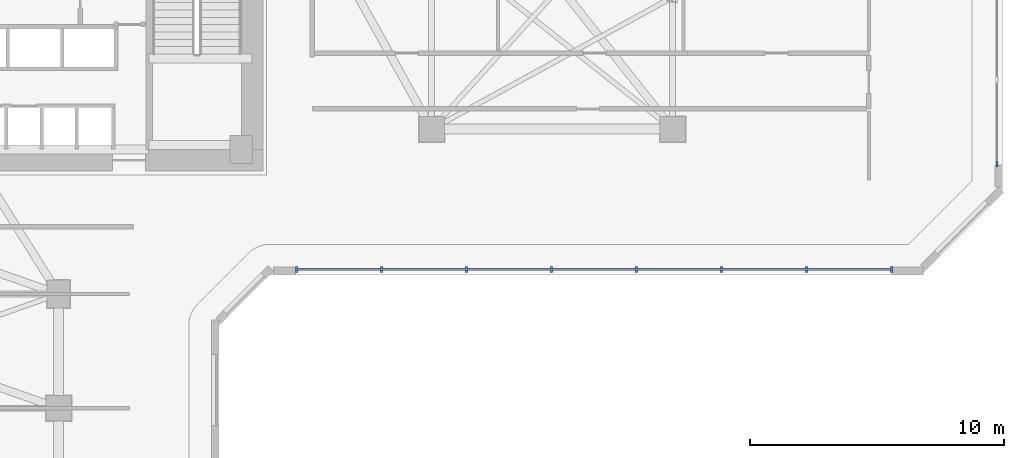
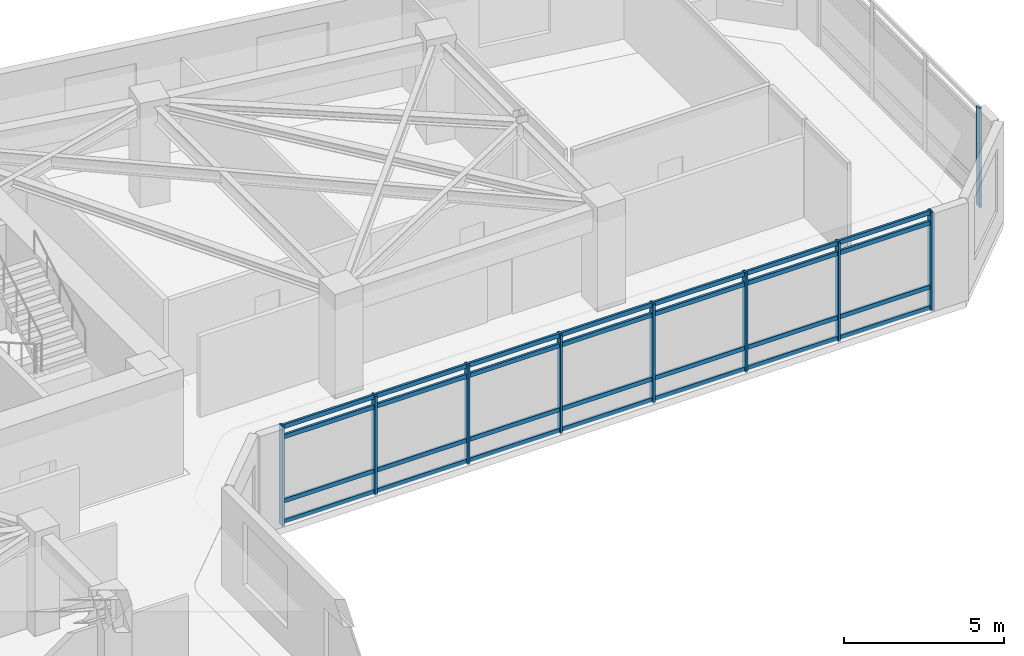
# One storey, part 2 of 11: 13 members, 2 elements without a shape of their own.
"""IFC4 building model written with IfcOpenShell, lengths in metres."""

from ifc_helpers import new_model, si_unit, direction, frame, origin, origin_2d, place, context, subcontext, project, spatial, rectangle, extrude, source, transform, mapped, material, material_profile, profile_set, type_object, element, aggregate, save


model = new_model("IFC4")

# Units and contexts
model_context = context("Model", 3, precision=1e-05, world=origin(), true_north=direction((0.0, 1.0)))
body_context = subcontext(model_context, "Body", "Model", "MODEL_VIEW")
ifc_project = project(units=[si_unit("LENGTHUNIT", "METRE"), si_unit("AREAUNIT", "SQUARE_METRE"), si_unit("VOLUMEUNIT", "CUBIC_METRE"), si_unit("PLANEANGLEUNIT", "RADIAN"), si_unit("MASSUNIT", "GRAM", prefix="KILO")], contexts=[model_context])

# Site, building, storey
site_placement = place(None, origin())
site = spatial("IfcSite", under=ifc_project, at=site_placement, CompositionType="ELEMENT")
building_placement = place(site_placement, origin())
building = spatial("IfcBuilding", under=site, at=building_placement, Name="Calvemar Wedge Station Tower", CompositionType="ELEMENT")
storey_placement = place(building_placement, frame((0.0, 0.0, 55.0)))
storey = spatial("IfcBuildingStorey", under=building, at=storey_placement, Name="L13", CompositionType="ELEMENT", Elevation=55.0)

# Curtain wall, members
ifc_material = material(Name="Anodised aluminium 6063-T6", Category="aluminium")
curtain_wall_type = type_object("IfcCurtainWallType", Name="CW1", PredefinedType="NOTDEFINED", material=ifc_material)
curtain_wall_1_placement = place(storey_placement, origin())
curtain_wall_1 = element("IfcCurtainWall", 1, at=curtain_wall_1_placement, inside=storey, type_object=curtain_wall_type, Name="Storey L13 CW1 Recessed Unitised Curtain Wall 6", PredefinedType="NOTDEFINED")
ifc_material_profile_1 = material_profile(ifc_material, rectangle(XDim=0.080078125, YDim=0.219970703125, at=origin_2d()), Name="AL-MUL-80x220")
ifc_profile_set_1 = profile_set([ifc_material_profile_1], Name="Anodised aluminium 6063-T6")
member_type_1 = type_object("IfcMemberType", Name="CW1-MUL", PredefinedType="MULLION", material=ifc_profile_set_1)
shared_shape_1 = source(origin(), body_context, "Body", "SweptSolid", [
    extrude(rectangle(XDim=0.080078125, YDim=0.219970703125, at=origin_2d()), origin(), (0.0, 0.0, 1.0), 3.800048828125),
])
member_1_placement = place(storey_placement, frame((33.166015625, 29.469970703125, -0.050048828125), z_axis=(0.0, 0.0, 1.0), x_axis=(1.0, 0.0, 0.0)))
member_1 = element("IfcMember", 2, at=member_1_placement, type_object=member_type_1, Name="CW1 mullion 1", PredefinedType="MULLION", context=body_context, shape_type="MappedRepresentation", body=[
    mapped(shared_shape_1, transform((0.0, 0.0, 0.0), scale=1.0)),
])
member_2_placement = place(storey_placement, frame((36.51904296875, 29.469970703125, -0.050048828125), z_axis=(0.0, 0.0, 1.0), x_axis=(1.0, 0.0, 0.0)))
member_2 = element("IfcMember", 3, at=member_2_placement, type_object=member_type_1, Name="CW1 mullion 2", PredefinedType="MULLION", context=body_context, shape_type="MappedRepresentation", body=[
    mapped(shared_shape_1, transform((0.0, 0.0, 0.0), scale=1.0)),
])
member_3_placement = place(storey_placement, frame((39.872314453125, 29.469970703125, -0.050048828125), z_axis=(0.0, 0.0, 1.0), x_axis=(1.0, 0.0, 0.0)))
member_3 = element("IfcMember", 4, at=member_3_placement, type_object=member_type_1, Name="CW1 mullion 3", PredefinedType="MULLION", context=body_context, shape_type="MappedRepresentation", body=[
    mapped(shared_shape_1, transform((0.0, 0.0, 0.0), scale=1.0)),
])
member_4_placement = place(storey_placement, frame((43.225341796875, 29.469970703125, -0.050048828125), z_axis=(0.0, 0.0, 1.0), x_axis=(1.0, 0.0, 0.0)))
member_4 = element("IfcMember", 5, at=member_4_placement, type_object=member_type_1, Name="CW1 mullion 4", PredefinedType="MULLION", context=body_context, shape_type="MappedRepresentation", body=[
    mapped(shared_shape_1, transform((0.0, 0.0, 0.0), scale=1.0)),
])
member_5_placement = place(storey_placement, frame((46.57861328125, 29.469970703125, -0.050048828125), z_axis=(0.0, 0.0, 1.0), x_axis=(1.0, 0.0, 0.0)))
member_5 = element("IfcMember", 6, at=member_5_placement, type_object=member_type_1, Name="CW1 mullion 5", PredefinedType="MULLION", context=body_context, shape_type="MappedRepresentation", body=[
    mapped(shared_shape_1, transform((0.0, 0.0, 0.0), scale=1.0)),
])
member_6_placement = place(storey_placement, frame((49.931640625, 29.469970703125, -0.050048828125), z_axis=(0.0, 0.0, 1.0), x_axis=(1.0, 0.0, 0.0)))
member_6 = element("IfcMember", 7, at=member_6_placement, type_object=member_type_1, Name="CW1 mullion 6", PredefinedType="MULLION", context=body_context, shape_type="MappedRepresentation", body=[
    mapped(shared_shape_1, transform((0.0, 0.0, 0.0), scale=1.0)),
])
member_7_placement = place(storey_placement, frame((53.284912109375, 29.469970703125, -0.050048828125), z_axis=(0.0, 0.0, 1.0), x_axis=(1.0, 0.0, 0.0)))
member_7 = element("IfcMember", 8, at=member_7_placement, type_object=member_type_1, Name="CW1 mullion 7", PredefinedType="MULLION", context=body_context, shape_type="MappedRepresentation", body=[
    mapped(shared_shape_1, transform((0.0, 0.0, 0.0), scale=1.0)),
])
member_8_placement = place(storey_placement, frame((56.637939453125, 29.469970703125, -0.050048828125), z_axis=(0.0, 0.0, 1.0), x_axis=(1.0, 0.0, 0.0)))
member_8 = element("IfcMember", 9, at=member_8_placement, type_object=member_type_1, Name="CW1 mullion 8", PredefinedType="MULLION", context=body_context, shape_type="MappedRepresentation", body=[
    mapped(shared_shape_1, transform((0.0, 0.0, 0.0), scale=1.0)),
])

# Curtain wall, member
curtain_wall_2_placement = place(storey_placement, origin())
curtain_wall_2 = element("IfcCurtainWall", 10, at=curtain_wall_2_placement, inside=storey, type_object=curtain_wall_type, Name="Storey L13 CW1 Recessed Unitised Curtain Wall 8", PredefinedType="NOTDEFINED")
member_9_placement = place(storey_placement, frame((60.7900390625, 33.6220703125, -0.050048828125), z_axis=(0.0, 0.0, 1.0), x_axis=(1.0, 0.0, 0.0)))
member_9 = element("IfcMember", 11, at=member_9_placement, type_object=member_type_1, Name="CW1 mullion 1", PredefinedType="MULLION", context=body_context, shape_type="MappedRepresentation", body=[
    mapped(shared_shape_1, transform((0.0, 0.0, 0.0), scale=1.0)),
])
aggregate(curtain_wall_2, [member_9])

# Member
ifc_material_profile_2 = material_profile(ifc_material, rectangle(XDim=0.080078125, YDim=0.159912109375, at=origin_2d()), Name="AL-TRN-80x160")
ifc_profile_set_2 = profile_set([ifc_material_profile_2], Name="Anodised aluminium 6063-T6")
member_type_2 = type_object("IfcMemberType", Name="CW1-TRN", PredefinedType="USERDEFINED", material=ifc_profile_set_2)
shared_shape_2 = source(origin(), body_context, "Body", "SweptSolid", [
    extrude(rectangle(XDim=0.080078125, YDim=0.159912109375, at=origin_2d()), origin(), (0.0, 0.0, 1.0), 23.471923828125),
])
member_10_placement = place(storey_placement, frame((33.166015625, 29.469970703125, 0.06005859375), z_axis=(1.0, 0.0, 0.0), x_axis=(0.0, 1.0, 0.0)))
member_10 = element("IfcMember", 12, at=member_10_placement, type_object=member_type_2, Name="CW1 transom 1", ObjectType="TRANSOM", PredefinedType="USERDEFINED", context=body_context, shape_type="MappedRepresentation", body=[
    mapped(shared_shape_2, transform((0.0, 0.0, 0.0), scale=1.0)),
])

member_11_placement = place(storey_placement, frame((33.166015625, 29.469970703125, 0.85009765625), z_axis=(1.0, 0.0, 0.0), x_axis=(0.0, 1.0, 0.0)))
member_11 = element("IfcMember", 13, at=member_11_placement, type_object=member_type_2, Name="CW1 transom 2", ObjectType="TRANSOM", PredefinedType="USERDEFINED", context=body_context, shape_type="MappedRepresentation", body=[
    mapped(shared_shape_2, transform((0.0, 0.0, 0.0), scale=1.0)),
])

member_12_placement = place(storey_placement, frame((33.166015625, 29.469970703125, 3.300048828125), z_axis=(1.0, 0.0, 0.0), x_axis=(0.0, 1.0, 0.0)))
member_12 = element("IfcMember", 14, at=member_12_placement, type_object=member_type_2, Name="CW1 transom 3", ObjectType="TRANSOM", PredefinedType="USERDEFINED", context=body_context, shape_type="MappedRepresentation", body=[
    mapped(shared_shape_2, transform((0.0, 0.0, 0.0), scale=1.0)),
])

member_13_placement = place(storey_placement, frame((33.166015625, 29.469970703125, 3.68994140625), z_axis=(1.0, 0.0, 0.0), x_axis=(0.0, 1.0, 0.0)))
member_13 = element("IfcMember", 15, at=member_13_placement, type_object=member_type_2, Name="CW1 transom 4", ObjectType="TRANSOM", PredefinedType="USERDEFINED", context=body_context, shape_type="MappedRepresentation", body=[
    mapped(shared_shape_2, transform((0.0, 0.0, 0.0), scale=1.0)),
])

aggregate(curtain_wall_1, [member_1, member_2, member_3, member_4, member_5, member_6, member_7, member_8, member_10, member_11, member_12, member_13])

save(model, "model.ifc")
